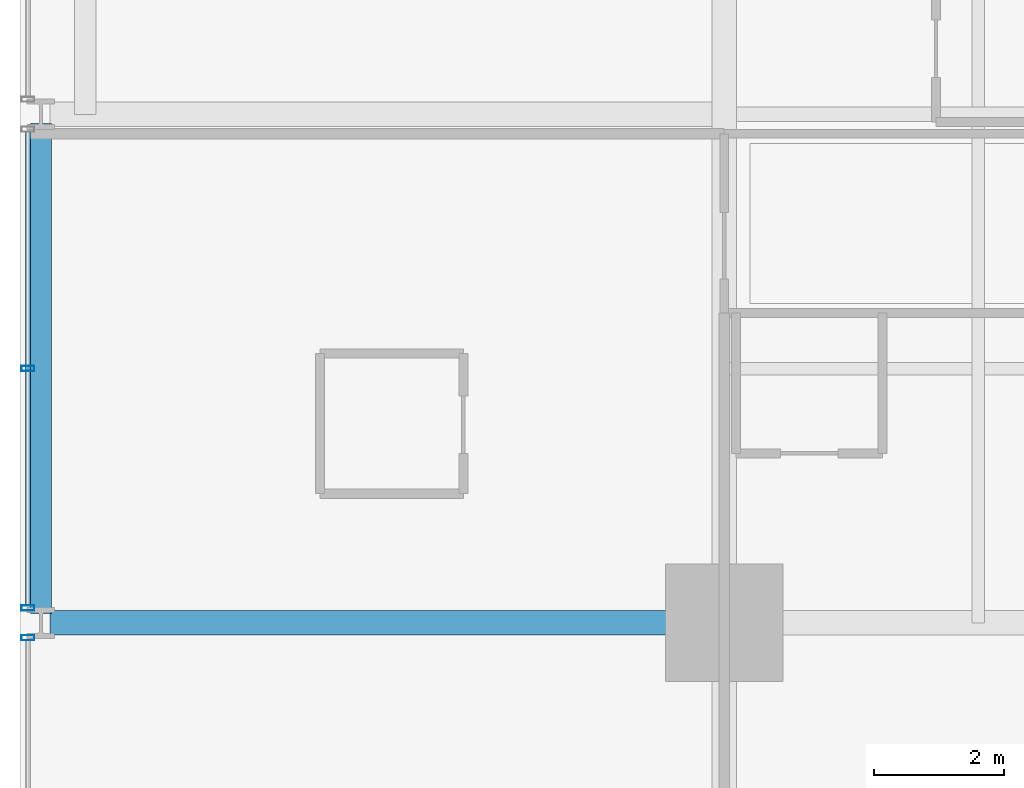
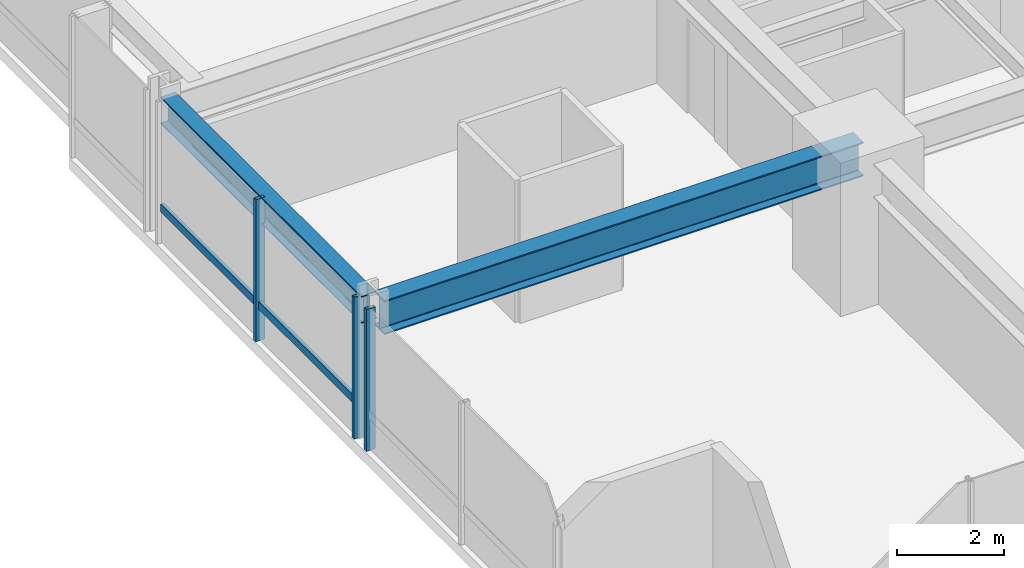
# One storey, part 4 of 38: 4 members, 2 beams, 2 elements without a shape of their own.
"""IFC4 building model written with IfcOpenShell, lengths in metres."""

from ifc_helpers import new_model, si_unit, direction, frame, origin, origin_2d, place, context, subcontext, project, spatial, hollow_rectangle, i_section, extrude, material, layer, layer_set, material_profile, profile_set, type_object, element, aggregate, save


model = new_model("IFC4")

# Units and contexts
model_context = context("Model", 3, precision=1e-05, world=origin(), true_north=direction((0.0, 1.0)))
body_context = subcontext(model_context, "Body", "Model", "MODEL_VIEW")
ifc_project = project(units=[si_unit("LENGTHUNIT", "METRE"), si_unit("AREAUNIT", "SQUARE_METRE"), si_unit("VOLUMEUNIT", "CUBIC_METRE"), si_unit("PLANEANGLEUNIT", "RADIAN"), si_unit("MASSUNIT", "GRAM", prefix="KILO")], contexts=[model_context])

# Site, building, storey
site_placement = place(None, origin())
site = spatial("IfcSite", under=ifc_project, at=site_placement, CompositionType="ELEMENT")
building_placement = place(site_placement, origin())
building = spatial("IfcBuilding", under=site, at=building_placement, Name="Drelvath Grand Hotel", CompositionType="ELEMENT")
storey_placement = place(building_placement, frame((0.0, 0.0, 64.699951171875)))
storey = spatial("IfcBuildingStorey", under=building, at=storey_placement, Name="L15", CompositionType="ELEMENT", Elevation=64.699951171875)

# Curtain wall, member
ifc_material_1 = material(Name="Warm Bronze Anodised Aluminium Frame", Category="aluminium")
ifc_layer = layer(ifc_material_1, 0.199951171875)
ifc_layer_set = layer_set([ifc_layer], Name="Warm Bronze Anodised Aluminium Frame")
curtain_wall_type = type_object("IfcCurtainWallType", Name="Stick Curtain Wall CW-02 Warm Bronze Low-Rise", PredefinedType="NOTDEFINED", material=ifc_layer_set)
curtain_wall_1_placement = place(storey_placement, origin())
curtain_wall_1 = element("IfcCurtainWall", 1, at=curtain_wall_1_placement, inside=storey, type_object=curtain_wall_type, Name="L15 CW-02 Curtain Wall CW02-L15-WS2", PredefinedType="NOTDEFINED")
ifc_material_profile_1 = material_profile(ifc_material_1, hollow_rectangle(XDim=0.074951171875, YDim=0.179931640625, WallThickness=0.0048828125, at=origin_2d()), Name="HSS180X75X5")
ifc_profile_set_1 = profile_set([ifc_material_profile_1], Name="Warm Bronze Anodised Aluminium Frame")
member_type_1 = type_object("IfcMemberType", Name="Curtain Wall Horizontal Transom CW-02 HSS180X75X5", PredefinedType="USERDEFINED", material=ifc_profile_set_1)
member_1_placement = place(storey_placement, frame((-26.8798828125, 11.069091796875, 0.81005859375), z_axis=(0.0, 1.0, 0.0), x_axis=(-1.0, 0.0, 0.0)))
member_1 = element("IfcMember", 2, at=member_1_placement, type_object=member_type_1, Name="CW02-L15-WS2 Sill Transom", ObjectType="TRANSOM", PredefinedType="USERDEFINED", context=body_context, shape_type="SweptSolid", body=[
    extrude(hollow_rectangle(XDim=0.074951171875, YDim=0.179931640625, WallThickness=0.0048828125, at=origin_2d()), origin(), (0.0, 0.0, 1.0), 7.26171875),
])

curtain_wall_2_placement = place(storey_placement, origin())
curtain_wall_2 = element("IfcCurtainWall", 3, at=curtain_wall_2_placement, inside=storey, type_object=curtain_wall_type, Name="L15 CW-02 Curtain Wall CW02-L15-WS1", PredefinedType="NOTDEFINED")
ifc_material_profile_2 = material_profile(ifc_material_1, hollow_rectangle(XDim=0.080078125, YDim=0.199951171875, WallThickness=0.0048828125, at=origin_2d()), Name="HSS200X80X5")
ifc_profile_set_2 = profile_set([ifc_material_profile_2], Name="Warm Bronze Anodised Aluminium Frame")
member_type_2 = type_object("IfcMemberType", Name="Curtain Wall Vertical Mullion CW-02 HSS200X80X5", PredefinedType="MULLION", material=ifc_profile_set_2)
member_2_placement = place(storey_placement, frame((-26.8798828125, 10.57080078125, 0.0), z_axis=(0.0, 0.0, 1.0), x_axis=(0.0, 1.0, 0.0)))
member_2 = element("IfcMember", 4, at=member_2_placement, type_object=member_type_2, Name="CW02-L15-WS1 Mullion 3", PredefinedType="MULLION", context=body_context, shape_type="SweptSolid", body=[
    extrude(hollow_rectangle(XDim=0.080078125, YDim=0.199951171875, WallThickness=0.0048828125, at=origin_2d()), origin(), (0.0, 0.0, 1.0), 3.239990234375),
])
aggregate(curtain_wall_2, [member_2])

# Member
member_3_placement = place(storey_placement, frame((-26.8798828125, 11.029052734375, 0.0), z_axis=(0.0, 0.0, 1.0), x_axis=(0.0, 1.0, 0.0)))
member_3 = element("IfcMember", 5, at=member_3_placement, type_object=member_type_2, Name="CW02-L15-WS2 Mullion 1", PredefinedType="MULLION", context=body_context, shape_type="SweptSolid", body=[
    extrude(hollow_rectangle(XDim=0.080078125, YDim=0.199951171875, WallThickness=0.0048828125, at=origin_2d()), origin(), (0.0, 0.0, 1.0), 3.239990234375),
])

member_4_placement = place(storey_placement, frame((-26.8798828125, 14.699951171875, 0.0), z_axis=(0.0, 0.0, 1.0), x_axis=(0.0, 1.0, 0.0)))
member_4 = element("IfcMember", 6, at=member_4_placement, type_object=member_type_2, Name="CW02-L15-WS2 Mullion 2", PredefinedType="MULLION", context=body_context, shape_type="SweptSolid", body=[
    extrude(hollow_rectangle(XDim=0.080078125, YDim=0.199951171875, WallThickness=0.0048828125, at=origin_2d()), origin(), (0.0, 0.0, 1.0), 3.239990234375),
])

aggregate(curtain_wall_1, [member_3, member_4, member_1])

# Beams
ifc_material_2 = material(Name="Steel ASTM A992 Gr 50", Category="steel")
ifc_material_profile_3 = material_profile(ifc_material_2, i_section(OverallWidth=0.323974609375, OverallDepth=0.611083984375, WebThickness=0.0126953125, FlangeThickness=0.01904296875, FilletRadius=0.02197265625, at=origin_2d()), Name="W24X104")
ifc_profile_set_3 = profile_set([ifc_material_profile_3], Name="Steel ASTM A992 Gr 50")
beam_type_1 = type_object("IfcBeamType", Name="Perimeter Spandrel Beam W24X104", PredefinedType="SPANDREL", material=ifc_profile_set_3)
beam_1_placement = place(storey_placement, frame((-26.679931640625, 10.93994140625, 2.9345703125), z_axis=(0.0, 1.0, 0.0), x_axis=(-1.0, 0.0, 0.0)))
element("IfcBeam", 7, at=beam_1_placement, inside=storey, type_object=beam_type_1, Name="L15 Spandrel West S", PredefinedType="SPANDREL", context=body_context, shape_type="SweptSolid", body=[
    extrude(i_section(OverallWidth=0.323974609375, OverallDepth=0.611083984375, WebThickness=0.0126953125, FlangeThickness=0.01904296875, FilletRadius=0.02197265625, at=origin_2d()), origin(), (0.0, 0.0, 1.0), 7.52001953125),
])
ifc_material_profile_4 = material_profile(ifc_material_2, i_section(OverallWidth=0.380615234375, OverallDepth=0.773193359375, WebThickness=0.0166015625, FlangeThickness=0.027099609375, FilletRadius=0.02490234375, at=origin_2d()), Name="W30X173")
ifc_profile_set_4 = profile_set([ifc_material_profile_4], Name="Steel ASTM A992 Gr 50")
beam_type_2 = type_object("IfcBeamType", Name="Primary Floor Girder W30X173", PredefinedType="BEAM", material=ifc_profile_set_4)
beam_2_placement = place(storey_placement, frame((-26.5400390625, 10.800048828125, 2.853515625), z_axis=(1.0, 0.0, 0.0), x_axis=(0.0, 1.0, 0.0)))
element("IfcBeam", 8, at=beam_2_placement, inside=storey, type_object=beam_type_2, Name="L15 West Grid Girder C", PredefinedType="BEAM", context=body_context, shape_type="SweptSolid", body=[
    extrude(i_section(OverallWidth=0.380615234375, OverallDepth=0.773193359375, WebThickness=0.0166015625, FlangeThickness=0.027099609375, FilletRadius=0.02490234375, at=origin_2d()), origin(), (0.0, 0.0, 1.0), 10.340087890625),
])

save(model, "model.ifc")
